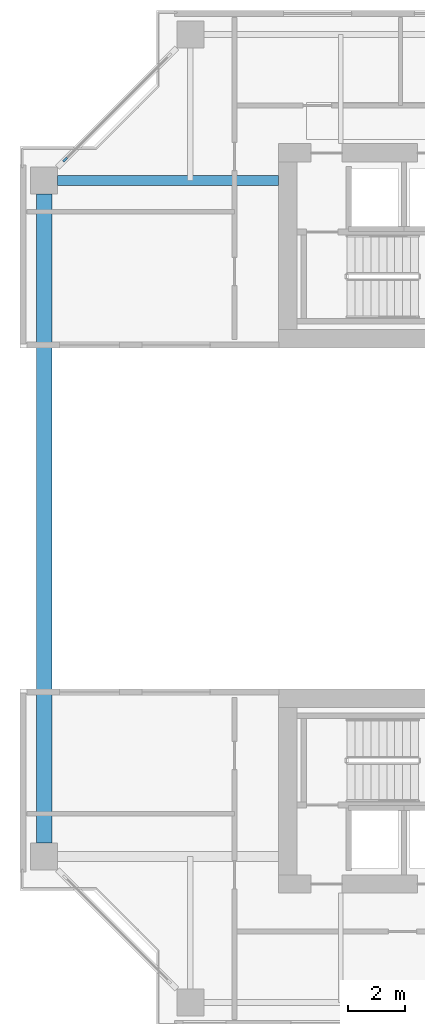
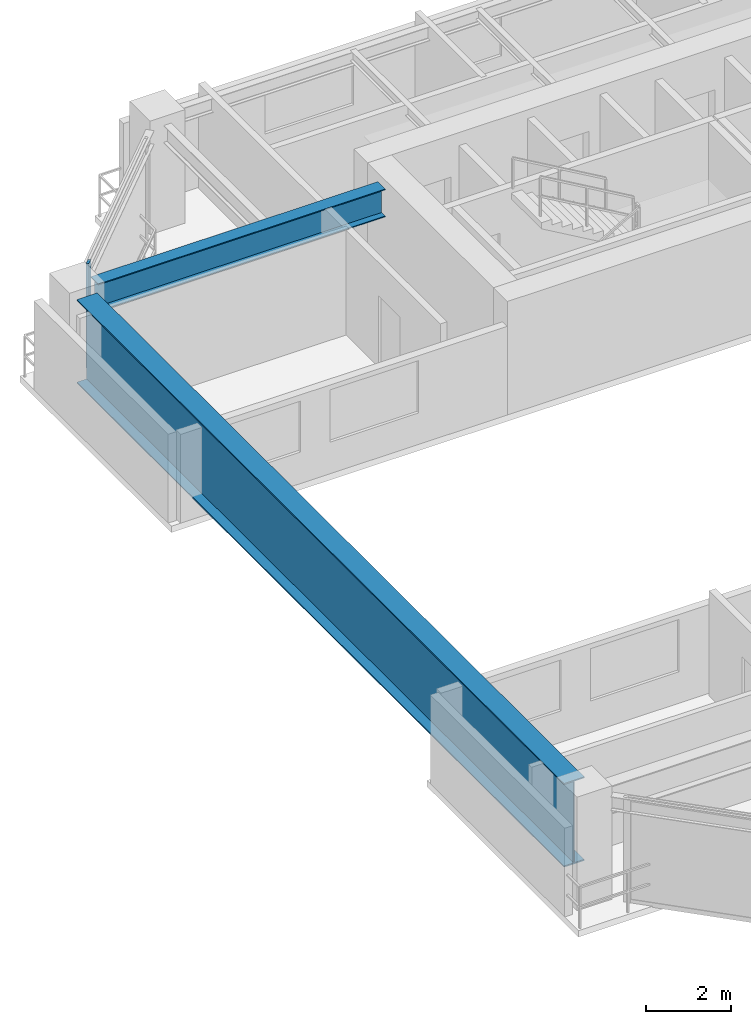
# One storey, part 3 of 12: 2 beams, 1 member, 1 element without a shape of its own.
"""IFC4 building model written with IfcOpenShell, lengths in metres."""

import ifcopenshell
import ifcopenshell.guid

model = None  # the IFC model being written
_history = None  # IfcOwnerHistory: only IFC2X3 demands one
_inside = {}  # id of a spatial element -> (the spatial element, [elements in it])
_under = {}  # id of a project, library or spatial element -> (it, [spatial elements below it])
_declared = {}  # id of a project -> (the project, [libraries it declares])
_typed = {}  # id of a type object -> (the type object, [elements of that type])
_made_of = {}  # id of a material, layer set ... -> (it, [elements and type objects made of it])


def new_model(schema):
    """Start an empty IFC model of exactly this schema.

    Asked for "IFC4X3", IfcOpenShell would pick the latest addendum, in which some entities
    have other attributes; the version numbers below select the first issue.
    IFC2X3 requires an IfcOwnerHistory on every rooted entity: one is made here for all.
    """
    global model, _history
    if schema == "IFC4X3":
        model = ifcopenshell.file(schema_version=(4, 3, 0, 0))
    else:
        model = ifcopenshell.file(schema=schema)
    _inside.clear()
    _under.clear()
    _declared.clear()
    _typed.clear()
    _made_of.clear()
    _history = None
    if model.schema == "IFC2X3":
        org = make("IfcOrganization", Name="unknown")
        user = make(
            "IfcPersonAndOrganization",
            ThePerson=make("IfcPerson", FamilyName="unknown"),
            TheOrganization=org,
        )
        app = make(
            "IfcApplication",
            ApplicationDeveloper=org,
            Version="unknown",
            ApplicationFullName="unknown",
            ApplicationIdentifier="unknown",
        )
        _history = make(
            "IfcOwnerHistory",
            OwningUser=user,
            OwningApplication=app,
            ChangeAction="ADDED",
            CreationDate=0,
        )
    return model


def make(cls, **values):
    """One entity of the class cls with the attributes given. An attribute that is None is left unset."""
    return model.create_entity(
        cls, **{name: value for name, value in values.items() if value is not None}
    )


def rooted(cls, **values):
    """An entity with a GlobalId (a new one), such as an element, a storey or a relation."""
    return make(cls, GlobalId=ifcopenshell.guid.new(), OwnerHistory=_history, **values)


def si_unit(unit_type, name, prefix=None):
    """IfcSIUnit, for example si_unit("LENGTHUNIT", "METRE", prefix="MILLI")."""
    return make("IfcSIUnit", UnitType=unit_type, Prefix=prefix, Name=name)


def assignment(units):
    """IfcUnitAssignment: the units of a project."""
    return None if units is None else make("IfcUnitAssignment", Units=units)


def point(xyz):
    """IfcCartesianPoint."""
    return None if xyz is None else make("IfcCartesianPoint", Coordinates=xyz)


def direction(xyz):
    """IfcDirection."""
    return None if xyz is None else make("IfcDirection", DirectionRatios=xyz)


def frame(location, z_axis=None, x_axis=None):
    """IfcAxis2Placement3D, a coordinate frame: its origin and axes. An axis left out is left unset."""
    return make(
        "IfcAxis2Placement3D",
        Location=point(location),
        Axis=direction(z_axis),
        RefDirection=direction(x_axis),
    )


def frame_2d(location, x_axis=None):
    """IfcAxis2Placement2D, a coordinate frame in the plane: its origin and x axis."""
    return make(
        "IfcAxis2Placement2D", Location=point(location), RefDirection=direction(x_axis)
    )


def origin():
    """The frame at (0, 0, 0) with its axes left unset."""
    return frame((0.0, 0.0, 0.0))


def origin_2d():
    """The frame at (0, 0) in the plane with its x axis left unset."""
    return frame_2d((0.0, 0.0))


def place(relative_to, where):
    """IfcLocalPlacement: puts the frame where relative to a parent placement (None: the world)."""
    return make(
        "IfcLocalPlacement", PlacementRelTo=relative_to, RelativePlacement=where
    )


def context(
    kind, dimensions, precision=None, world=None, true_north=None, identifier=None
):
    """IfcGeometricRepresentationContext, for example the 3D "Model" context."""
    return make(
        "IfcGeometricRepresentationContext",
        ContextIdentifier=identifier,
        ContextType=kind,
        CoordinateSpaceDimension=dimensions,
        Precision=precision,
        WorldCoordinateSystem=world,
        TrueNorth=true_north,
    )


def subcontext(parent, identifier, kind, view, scale=None):
    """IfcGeometricRepresentationSubContext, for example "Body" below "Model"."""
    return make(
        "IfcGeometricRepresentationSubContext",
        ContextIdentifier=identifier,
        ContextType=kind,
        ParentContext=parent,
        TargetScale=scale,
        TargetView=view,
    )


def project(units=None, contexts=None):
    """IfcProject with its units and contexts."""
    return rooted(
        "IfcProject",
        Name="project",
        RepresentationContexts=contexts,
        UnitsInContext=assignment(units),
    )


def spatial(cls, under=None, at=None, **own):
    """A site, building, storey or space (cls), placed at a placement, below another one or the project."""
    s = rooted(cls, ObjectPlacement=at, **own)
    if under is not None:
        _under.setdefault(under.id(), (under, []))[1].append(s)
    return s


def profile(cls, at=None, kind="AREA", **sizes):
    """A parametric profile (cls). Its sizes go by their IFC names, for example OverallWidth=200.0."""
    return make(cls, ProfileType=kind, Position=at, **sizes)


def rectangle(**sizes):
    """IfcRectangleProfileDef."""
    return profile("IfcRectangleProfileDef", **sizes)


def i_section(**sizes):
    """IfcIShapeProfileDef."""
    return profile("IfcIShapeProfileDef", **sizes)


def extrude(swept, where, along, depth):
    """IfcExtrudedAreaSolid: the profile swept, set in the frame where, extruded along a direction by depth."""
    return make(
        "IfcExtrudedAreaSolid",
        SweptArea=swept,
        Position=where,
        ExtrudedDirection=direction(along),
        Depth=depth,
    )


def shape(context_of_items, identifier, shape_type, items):
    """IfcShapeRepresentation: the items that make up one representation, for example the "Body"."""
    return make(
        "IfcShapeRepresentation",
        ContextOfItems=context_of_items,
        RepresentationIdentifier=identifier,
        RepresentationType=shape_type,
        Items=items,
    )


def source(mapping_origin, context_of_items, identifier, shape_type, items):
    """IfcRepresentationMap: a shape defined once, which mapped items show again and again."""
    return make(
        "IfcRepresentationMap",
        MappingOrigin=mapping_origin,
        MappedRepresentation=shape(context_of_items, identifier, shape_type, items),
    )


def transform(
    local_origin,
    x_axis=None,
    y_axis=None,
    z_axis=None,
    scale=None,
    scale2=None,
    scale3=None,
    uniform=True,
):
    """IfcCartesianTransformationOperator3D, or its non-uniform kind. x_axis, y_axis, z_axis: its Axis1, 2, 3."""
    if uniform:
        return make(
            "IfcCartesianTransformationOperator3D",
            Axis1=direction(x_axis),
            Axis2=direction(y_axis),
            LocalOrigin=point(local_origin),
            Scale=scale,
            Axis3=direction(z_axis),
        )
    return make(
        "IfcCartesianTransformationOperator3DnonUniform",
        Axis1=direction(x_axis),
        Axis2=direction(y_axis),
        LocalOrigin=point(local_origin),
        Scale=scale,
        Axis3=direction(z_axis),
        Scale2=scale2,
        Scale3=scale3,
    )


def mapped(mapping_source, mapping_target):
    """IfcMappedItem: shows the shape of a source again, moved by a transform."""
    return make(
        "IfcMappedItem", MappingSource=mapping_source, MappingTarget=mapping_target
    )


def material(Name=None, Category=None):
    """IfcMaterial."""
    return make("IfcMaterial", Name=Name, Category=Category)


def layer(
    of_material, thickness, ventilated=None, Name=None, Category=None, Priority=None
):
    """IfcMaterialLayer: one layer of a wall or slab, of a material (None: an air gap)."""
    return make(
        "IfcMaterialLayer",
        Material=of_material,
        LayerThickness=thickness,
        IsVentilated=ventilated,
        Name=Name,
        Category=Category,
        Priority=Priority,
    )


def layer_set(layers, Name=None):
    """IfcMaterialLayerSet."""
    return make("IfcMaterialLayerSet", MaterialLayers=layers, LayerSetName=Name)


def material_profile(
    of_material, cross_section, Name=None, Category=None, Priority=None
):
    """IfcMaterialProfile: a cross section and its material."""
    return make(
        "IfcMaterialProfile",
        Name=Name,
        Material=of_material,
        Profile=cross_section,
        Priority=Priority,
        Category=Category,
    )


def profile_set(profiles, Name=None, composite=None):
    """IfcMaterialProfileSet."""
    return make(
        "IfcMaterialProfileSet",
        Name=Name,
        MaterialProfiles=profiles,
        CompositeProfile=composite,
    )


def made_of(thing, what):
    """Note that an element or type object is made of a material, layer set ...; save() writes the relation."""
    if what is not None:
        _made_of.setdefault(what.id(), (what, []))[1].append(thing)
    return thing


def type_object(cls, material=None, **own):
    """A type object (cls), such as IfcWallType, which elements share."""
    return made_of(rooted(cls, **own), material)


def element(
    cls,
    number,
    at=None,
    inside=None,
    cuts=None,
    type_object=None,
    material=None,
    context=None,
    identifier="Body",
    shape_type=None,
    held_by="IfcProductDefinitionShape",
    body=None,
    shapes=None,
    **own,
):
    """One element of the class cls, such as IfcWall. Its Tag is "e" and its number.

    at: its placement. inside: the storey or other place that contains it. cuts: it is an
    opening in that element (IfcRelVoidsElement). A single representation is given by context,
    identifier, shape_type and body (its items); several are given by shapes. held_by: the class
    of the entity that holds the representations. save() writes the other relations.
    """
    e = rooted(cls, Tag="e%d" % number, ObjectPlacement=at, **own)
    if body is not None:
        shapes = [shape(context, identifier, shape_type, body)]
    if shapes is not None:
        e.Representation = make(held_by, Representations=shapes)
    if inside is not None:
        _inside.setdefault(inside.id(), (inside, []))[1].append(e)
    if cuts is not None:
        rooted(
            "IfcRelVoidsElement", RelatingBuildingElement=cuts, RelatedOpeningElement=e
        )
    if type_object is not None:
        _typed.setdefault(type_object.id(), (type_object, []))[1].append(e)
    return made_of(e, material)


def aggregate(whole, parts):
    """IfcRelAggregates: a whole, such as a stair, and the parts it consists of."""
    return rooted("IfcRelAggregates", RelatingObject=whole, RelatedObjects=parts)


def save(model, path):
    """Write the relations noted so far, then the file.

    IfcRelAggregates (storeys below a building ...), IfcRelContainedInSpatialStructure (elements
    in a storey), IfcRelDefinesByType, IfcRelAssociatesMaterial and IfcRelDeclares: one each for
    every whole, place, type object, material and project.
    """
    for whole, parts in _under.values():
        aggregate(whole, parts)
    for where, things in _inside.values():
        rooted(
            "IfcRelContainedInSpatialStructure",
            RelatedElements=things,
            RelatingStructure=where,
        )
    for kind, things in _typed.values():
        rooted("IfcRelDefinesByType", RelatedObjects=things, RelatingType=kind)
    for what, things in _made_of.values():
        rooted("IfcRelAssociatesMaterial", RelatedObjects=things, RelatingMaterial=what)
    for by, libraries in _declared.values():
        rooted("IfcRelDeclares", RelatingContext=by, RelatedDefinitions=libraries)
    model.write(path)


model = new_model("IFC4")

# Units and contexts
model_context = context("Model", 3, precision=1e-05, world=origin(), true_north=direction((0.0, 1.0)))
body_context = subcontext(model_context, "Body", "Model", "MODEL_VIEW")
ifc_project = project(units=[si_unit("LENGTHUNIT", "METRE"), si_unit("AREAUNIT", "SQUARE_METRE"), si_unit("VOLUMEUNIT", "CUBIC_METRE"), si_unit("PLANEANGLEUNIT", "RADIAN"), si_unit("MASSUNIT", "GRAM", prefix="KILO"), si_unit("THERMODYNAMICTEMPERATUREUNIT", "KELVIN"), si_unit("POWERUNIT", "WATT")], contexts=[model_context])

# Site, building, storey
site_placement = place(None, origin())
site = spatial("IfcSite", under=ifc_project, at=site_placement, CompositionType="ELEMENT")
building_placement = place(site_placement, origin())
building = spatial("IfcBuilding", under=site, at=building_placement, Name="Qiaomeng Ring Towers", CompositionType="ELEMENT")
storey_placement = place(building_placement, frame((0.0, 0.0, 169.75)))
storey = spatial("IfcBuildingStorey", under=building, at=storey_placement, Name="L49", CompositionType="ELEMENT", Elevation=169.75)

# Beams
ifc_material_1 = material(Name="Steel Q390GJC", Category="steel")
ifc_material_profile_1 = material_profile(ifc_material_1, i_section(OverallWidth=0.35009765625, OverallDepth=0.800048828125, WebThickness=0.01611328125, FlangeThickness=0.028076171875, at=origin_2d()), Name="WH 800x350x16x28")
ifc_profile_set_1 = profile_set([ifc_material_profile_1], Name="Steel Q390GJC")
beam_type_1 = type_object("IfcBeamType", Name="STR-BM-WH800", PredefinedType="BEAM", material=ifc_profile_set_1)
shared_shape_1 = source(origin(), body_context, "Body", "SweptSolid", [
    extrude(i_section(OverallWidth=0.35009765625, OverallDepth=0.800048828125, WebThickness=0.01611328125, FlangeThickness=0.028076171875, at=origin_2d()), origin(), (0.0, 0.0, 1.0), 7.77587890625),
])
beam_1_placement = place(storey_placement, frame((2.424072265625, 34.89990234375, 2.60009765625), z_axis=(1.0, 0.0, 0.0), x_axis=(0.0, 1.0, 0.0)))
element("IfcBeam", 1, at=beam_1_placement, inside=storey, type_object=beam_type_1, Name="L49 beam STR-BM-L49-T1-RAD-W4", PredefinedType="BEAM", context=body_context, shape_type="MappedRepresentation", body=[
    mapped(shared_shape_1, transform((0.0, 0.0, 0.0), x_axis=(1.0, 0.0, 0.0), y_axis=(0.0, 1.0, 0.0), z_axis=(0.0, 0.0, 1.0), scale=1.0)),
])
ifc_material_profile_2 = material_profile(ifc_material_1, i_section(OverallWidth=0.550048828125, OverallDepth=2.39990234375, WebThickness=0.02587890625, FlangeThickness=0.035888671875, at=origin_2d()), Name="WH 2400x550x26x36")
ifc_profile_set_2 = profile_set([ifc_material_profile_2], Name="Steel Q390GJC")
beam_type_2 = type_object("IfcBeamType", Name="STR-TG-WH2400", PredefinedType="USERDEFINED", material=ifc_profile_set_2)
shared_shape_2 = source(origin(), body_context, "Body", "SweptSolid", [
    extrude(i_section(OverallWidth=0.550048828125, OverallDepth=2.39990234375, WebThickness=0.02587890625, FlangeThickness=0.035888671875, at=origin_2d()), origin(), (0.0, 0.0, 1.0), 22.85205078125),
])
beam_2_placement = place(storey_placement, frame((1.949951171875, 11.573974609375, 1.800048828125), z_axis=(0.0, 1.0, 0.0), x_axis=(-1.0, 0.0, 0.0)))
element("IfcBeam", 2, at=beam_2_placement, inside=storey, type_object=beam_type_2, Name="L49 Transfer Girder STR-PORTAL-TG-L49-W", ObjectType="TRANSFER GIRDER", PredefinedType="USERDEFINED", context=body_context, shape_type="MappedRepresentation", body=[
    mapped(shared_shape_2, transform((0.0, 0.0, 0.0), x_axis=(1.0, 0.0, 0.0), y_axis=(0.0, 1.0, 0.0), z_axis=(0.0, 0.0, 1.0), scale=1.0)),
])

# Curtain wall, member
ifc_material_2 = material(Name="Fluorocarbon dark-grey aluminium", Category="aluminium")
ifc_layer = layer(ifc_material_2, 0.14990234375, Name="Fluorocarbon dark-grey aluminium")
ifc_layer_set = layer_set([ifc_layer], Name="Fluorocarbon dark-grey aluminium")
curtain_wall_type = type_object("IfcCurtainWallType", Name="ARC-CW-3", PredefinedType="NOTDEFINED", material=ifc_layer_set)
curtain_wall_placement = place(storey_placement, origin())
curtain_wall = element("IfcCurtainWall", 3, at=curtain_wall_placement, inside=storey, type_object=curtain_wall_type, Name="L49 Curtain Wall CW3", PredefinedType="NOTDEFINED")
ifc_material_profile_3 = material_profile(ifc_material_2, rectangle(XDim=0.070068359375, YDim=0.179931640625, at=origin_2d()), Name="ALU MULL 70x180")
ifc_profile_set_3 = profile_set([ifc_material_profile_3], Name="Fluorocarbon dark-grey aluminium")
member_type = type_object("IfcMemberType", Name="ARC-CWM-160", PredefinedType="MULLION", material=ifc_profile_set_3)
shared_shape_3 = source(origin(), body_context, "Body", "SweptSolid", [
    extrude(rectangle(XDim=0.070068359375, YDim=0.179931640625, at=origin_2d()), origin(), (0.0, 0.0, 1.0), 3.0),
])
member_placement = place(storey_placement, frame((2.689697265625, 35.6396484375, 0.0), z_axis=(0.0, 0.0, 1.0), x_axis=(0.707106781187, -0.707106781187, 0.0)))
member = element("IfcMember", 4, at=member_placement, type_object=member_type, Name="CW3 mullion 2", PredefinedType="MULLION", context=body_context, shape_type="MappedRepresentation", body=[
    mapped(shared_shape_3, transform((0.0, 0.0, 0.0), x_axis=(1.0, 0.0, 0.0), y_axis=(0.0, 1.0, 0.0), z_axis=(0.0, 0.0, 1.0), scale=1.0)),
])
aggregate(curtain_wall, [member])

save(model, "model.ifc")
